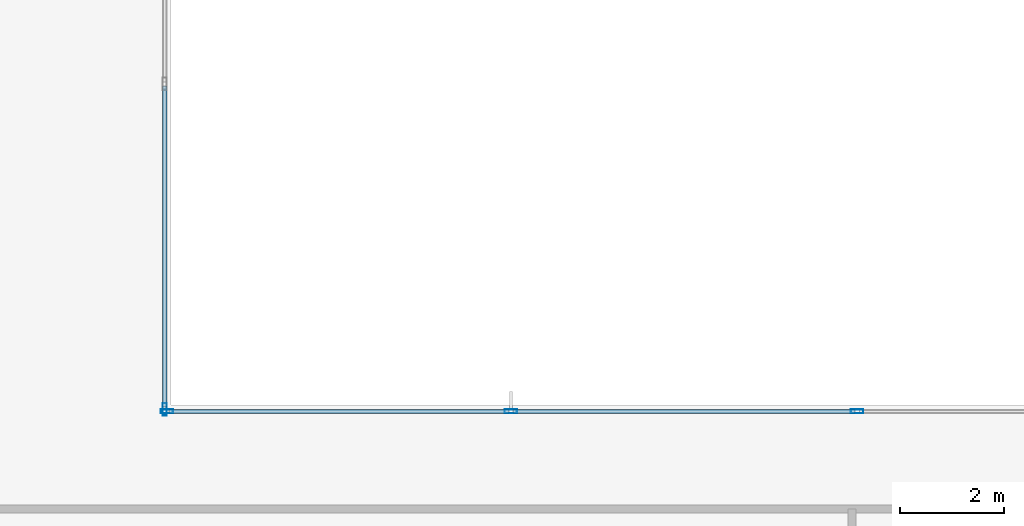
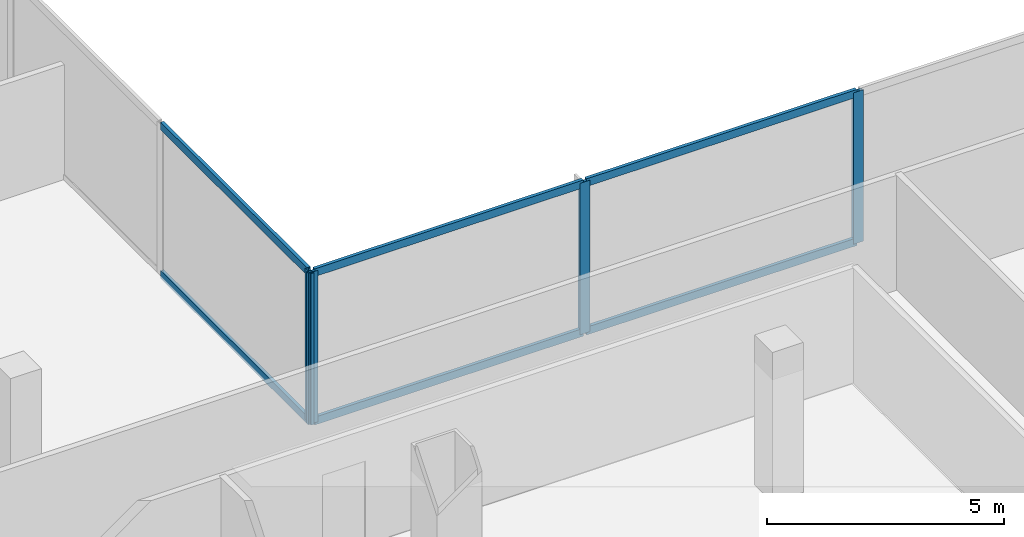
# One storey, part 9 of 32: 10 members, 2 elements without a shape of their own.
"""IFC4 building model written with IfcOpenShell, lengths in metres."""

from ifc_helpers import new_model, si_unit, direction, frame, origin, origin_2d, place, context, subcontext, project, spatial, hollow_rectangle, extrude, material, material_profile, profile_set, type_object, element, aggregate, save


model = new_model("IFC4")

# Units and contexts
model_context = context("Model", 3, precision=1e-05, world=origin(), true_north=direction((0.0, 1.0)))
body_context = subcontext(model_context, "Body", "Model", "MODEL_VIEW")
ifc_project = project(units=[si_unit("LENGTHUNIT", "METRE"), si_unit("AREAUNIT", "SQUARE_METRE"), si_unit("VOLUMEUNIT", "CUBIC_METRE"), si_unit("PLANEANGLEUNIT", "RADIAN"), si_unit("MASSUNIT", "GRAM", prefix="KILO")], contexts=[model_context])

# Site, building, storey
site_placement = place(None, origin())
site = spatial("IfcSite", under=ifc_project, at=site_placement, CompositionType="ELEMENT")
building_placement = place(site_placement, origin())
building = spatial("IfcBuilding", under=site, at=building_placement, Name="Cobrela Telecom Tower", CompositionType="ELEMENT")
storey_placement = place(building_placement, frame((0.0, 0.0, 22.050048828125)))
storey = spatial("IfcBuildingStorey", under=building, at=storey_placement, Name="L05", CompositionType="ELEMENT", Elevation=22.050048828125)

# Curtain wall, member
ifc_material = material(Name="Anodized Bronze Aluminium 6063-T6", Category="aluminium")
curtain_wall_type = type_object("IfcCurtainWallType", Name="CW-SYS-CONC", PredefinedType="USERDEFINED", material=ifc_material)
curtain_wall_1_placement = place(storey_placement, origin())
curtain_wall_1 = element("IfcCurtainWall", 1, at=curtain_wall_1_placement, inside=storey, type_object=curtain_wall_type, Name="L05 Unitised Bronze Curtain Wall 10", ObjectType="UNITISED CURTAIN WALL", PredefinedType="USERDEFINED")
ifc_material_profile_1 = material_profile(ifc_material, hollow_rectangle(XDim=0.080078125, YDim=0.239990234375, WallThickness=0.0048828125, at=origin_2d()), Name="ALU 80x240x5")
ifc_profile_set_1 = profile_set([ifc_material_profile_1], Name="Anodized Bronze Aluminium 6063-T6")
member_type_1 = type_object("IfcMemberType", Name="CW-SYS-CONC-MUL", PredefinedType="MULLION", material=ifc_profile_set_1)
member_1_placement = place(storey_placement, frame((50.280029296875, 28.719970703125, 0.0), z_axis=(0.0, 0.0, 1.0), x_axis=(1.0, 0.0, 0.0)))
member_1 = element("IfcMember", 2, at=member_1_placement, type_object=member_type_1, Name="CW-CONC mullion 4", PredefinedType="MULLION", context=body_context, shape_type="SweptSolid", body=[
    extrude(hollow_rectangle(XDim=0.080078125, YDim=0.239990234375, WallThickness=0.0048828125, at=origin_2d()), origin(), (0.0, 0.0, 1.0), 3.89990234375),
])

# Curtain wall, members
curtain_wall_2_placement = place(storey_placement, origin())
curtain_wall_2 = element("IfcCurtainWall", 3, at=curtain_wall_2_placement, inside=storey, type_object=curtain_wall_type, Name="L05 Unitised Bronze Curtain Wall 11", ObjectType="UNITISED CURTAIN WALL", PredefinedType="USERDEFINED")
member_2_placement = place(storey_placement, frame((50.320068359375, 28.679931640625, 0.0), z_axis=(0.0, 0.0, 1.0), x_axis=(0.0, 1.0, 0.0)))
member_2 = element("IfcMember", 4, at=member_2_placement, type_object=member_type_1, Name="CW-CONC mullion 1", PredefinedType="MULLION", context=body_context, shape_type="SweptSolid", body=[
    extrude(hollow_rectangle(XDim=0.080078125, YDim=0.239990234375, WallThickness=0.0048828125, at=origin_2d()), origin(), (0.0, 0.0, 1.0), 3.89990234375),
])
member_3_placement = place(storey_placement, frame((56.93994140625, 28.679931640625, 0.0), z_axis=(0.0, 0.0, 1.0), x_axis=(0.0, 1.0, 0.0)))
member_3 = element("IfcMember", 5, at=member_3_placement, type_object=member_type_1, Name="CW-CONC mullion 2", PredefinedType="MULLION", context=body_context, shape_type="SweptSolid", body=[
    extrude(hollow_rectangle(XDim=0.080078125, YDim=0.239990234375, WallThickness=0.0048828125, at=origin_2d()), origin(), (0.0, 0.0, 1.0), 3.89990234375),
])
member_4_placement = place(storey_placement, frame((63.60009765625, 28.679931640625, 0.0), z_axis=(0.0, 0.0, 1.0), x_axis=(0.0, 1.0, 0.0)))
member_4 = element("IfcMember", 6, at=member_4_placement, type_object=member_type_1, Name="CW-CONC mullion 3", PredefinedType="MULLION", context=body_context, shape_type="SweptSolid", body=[
    extrude(hollow_rectangle(XDim=0.080078125, YDim=0.239990234375, WallThickness=0.0048828125, at=origin_2d()), origin(), (0.0, 0.0, 1.0), 3.89990234375),
])

# Member
ifc_material_profile_2 = material_profile(ifc_material, hollow_rectangle(XDim=0.080078125, YDim=0.199951171875, WallThickness=0.00390625, at=origin_2d()), Name="ALU 80x200x4")
ifc_profile_set_2 = profile_set([ifc_material_profile_2], Name="Anodized Bronze Aluminium 6063-T6")
member_type_2 = type_object("IfcMemberType", Name="CW-SYS-CONC-TRN", PredefinedType="USERDEFINED", material=ifc_profile_set_2)
member_5_placement = place(storey_placement, frame((50.280029296875, 34.93994140625, 0.0400390625), z_axis=(0.0, -1.0, 0.0), x_axis=(1.0, 0.0, 0.0)))
member_5 = element("IfcMember", 7, at=member_5_placement, type_object=member_type_2, Name="CW-CONC transom 3.1", ObjectType="TRANSOM", PredefinedType="USERDEFINED", context=body_context, shape_type="SweptSolid", body=[
    extrude(hollow_rectangle(XDim=0.080078125, YDim=0.199951171875, WallThickness=0.00390625, at=origin_2d()), origin(), (0.0, 0.0, 1.0), 6.179931640625),
])

member_6_placement = place(storey_placement, frame((50.280029296875, 34.93994140625, 3.85986328125), z_axis=(0.0, -1.0, 0.0), x_axis=(1.0, 0.0, 0.0)))
member_6 = element("IfcMember", 8, at=member_6_placement, type_object=member_type_2, Name="CW-CONC transom 3.2", ObjectType="TRANSOM", PredefinedType="USERDEFINED", context=body_context, shape_type="SweptSolid", body=[
    extrude(hollow_rectangle(XDim=0.080078125, YDim=0.199951171875, WallThickness=0.00390625, at=origin_2d()), origin(), (0.0, 0.0, 1.0), 6.179931640625),
])

aggregate(curtain_wall_1, [member_1, member_5, member_6])

member_7_placement = place(storey_placement, frame((50.360107421875, 28.679931640625, 0.0400390625), z_axis=(1.0, 0.0, 0.0), x_axis=(0.0, 1.0, 0.0)))
member_7 = element("IfcMember", 9, at=member_7_placement, type_object=member_type_2, Name="CW-CONC transom 1.1", ObjectType="TRANSOM", PredefinedType="USERDEFINED", context=body_context, shape_type="SweptSolid", body=[
    extrude(hollow_rectangle(XDim=0.080078125, YDim=0.199951171875, WallThickness=0.00390625, at=origin_2d()), origin(), (0.0, 0.0, 1.0), 6.539794921875),
])

member_8_placement = place(storey_placement, frame((50.360107421875, 28.679931640625, 3.85986328125), z_axis=(1.0, 0.0, 0.0), x_axis=(0.0, 1.0, 0.0)))
member_8 = element("IfcMember", 10, at=member_8_placement, type_object=member_type_2, Name="CW-CONC transom 1.2", ObjectType="TRANSOM", PredefinedType="USERDEFINED", context=body_context, shape_type="SweptSolid", body=[
    extrude(hollow_rectangle(XDim=0.080078125, YDim=0.199951171875, WallThickness=0.00390625, at=origin_2d()), origin(), (0.0, 0.0, 1.0), 6.539794921875),
])

member_9_placement = place(storey_placement, frame((56.97998046875, 28.679931640625, 0.0400390625), z_axis=(1.0, 0.0, 0.0), x_axis=(0.0, 1.0, 0.0)))
member_9 = element("IfcMember", 11, at=member_9_placement, type_object=member_type_2, Name="CW-CONC transom 2.1", ObjectType="TRANSOM", PredefinedType="USERDEFINED", context=body_context, shape_type="SweptSolid", body=[
    extrude(hollow_rectangle(XDim=0.080078125, YDim=0.199951171875, WallThickness=0.00390625, at=origin_2d()), origin(), (0.0, 0.0, 1.0), 6.580078125),
])

member_10_placement = place(storey_placement, frame((56.97998046875, 28.679931640625, 3.85986328125), z_axis=(1.0, 0.0, 0.0), x_axis=(0.0, 1.0, 0.0)))
member_10 = element("IfcMember", 12, at=member_10_placement, type_object=member_type_2, Name="CW-CONC transom 2.2", ObjectType="TRANSOM", PredefinedType="USERDEFINED", context=body_context, shape_type="SweptSolid", body=[
    extrude(hollow_rectangle(XDim=0.080078125, YDim=0.199951171875, WallThickness=0.00390625, at=origin_2d()), origin(), (0.0, 0.0, 1.0), 6.580078125),
])

aggregate(curtain_wall_2, [member_2, member_3, member_4, member_7, member_8, member_9, member_10])

save(model, "model.ifc")
